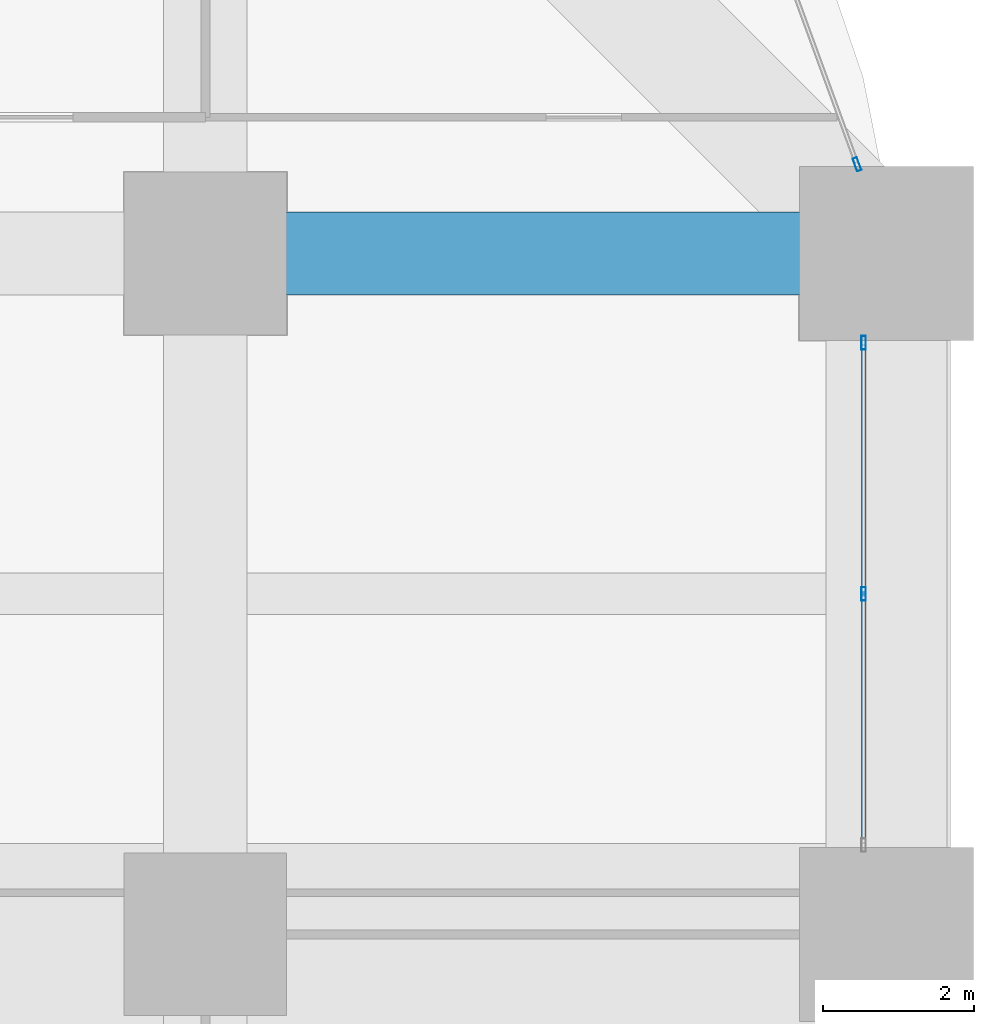
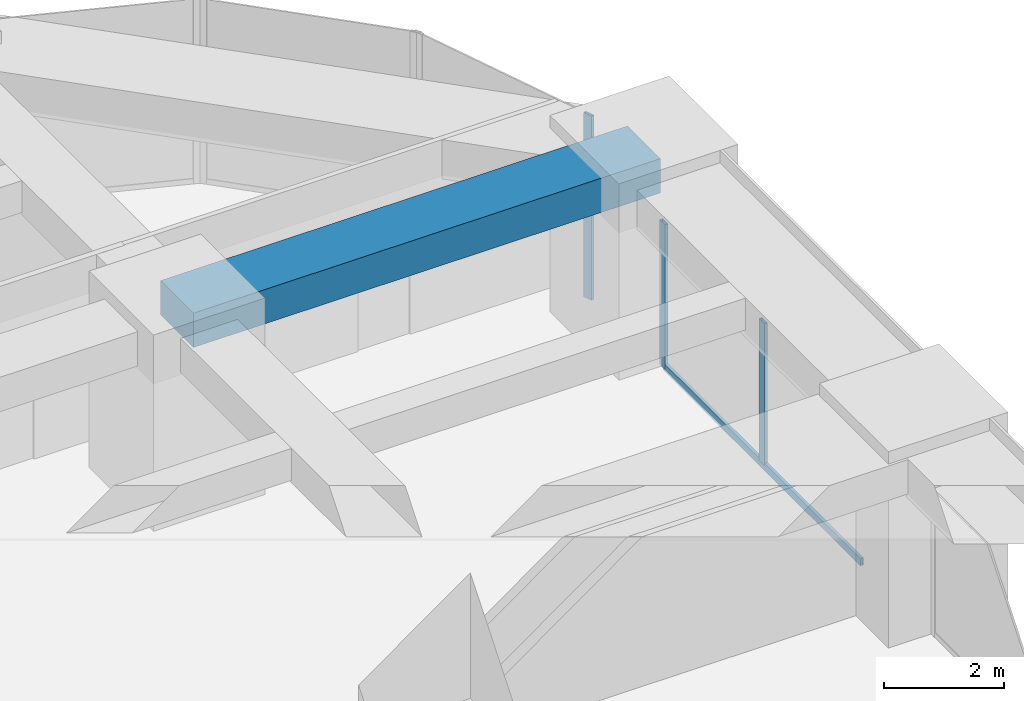
# One storey, part 33 of 43: 4 members, 1 beam, 2 elements without a shape of their own.
"""IFC4 building model written with IfcOpenShell, lengths in metres."""

from ifc_helpers import new_model, si_unit, direction, frame, origin, origin_2d, place, context, subcontext, project, spatial, rectangle, hollow_rectangle, extrude, material, material_profile, profile_set, type_object, element, aggregate, save


model = new_model("IFC4")

# Units and contexts
model_context = context("Model", 3, precision=1e-05, world=origin(), true_north=direction((0.0, 1.0)))
body_context = subcontext(model_context, "Body", "Model", "MODEL_VIEW")
ifc_project = project(units=[si_unit("LENGTHUNIT", "METRE"), si_unit("AREAUNIT", "SQUARE_METRE"), si_unit("VOLUMEUNIT", "CUBIC_METRE"), si_unit("PLANEANGLEUNIT", "RADIAN"), si_unit("MASSUNIT", "GRAM", prefix="KILO")], contexts=[model_context])

# Site, building, storey
site_placement = place(None, origin())
site = spatial("IfcSite", under=ifc_project, at=site_placement, CompositionType="ELEMENT")
building_placement = place(site_placement, origin())
building = spatial("IfcBuilding", under=site, at=building_placement, Name="Zorevar Civic Tower", CompositionType="ELEMENT")
storey_placement = place(building_placement, frame((0.0, 0.0, 67.800048828125)))
storey = spatial("IfcBuildingStorey", under=building, at=storey_placement, Name="L16", CompositionType="ELEMENT", Elevation=67.800048828125)

# Beam
ifc_material_1 = material(Name="Concrete C50/60", Category="concrete")
ifc_material_profile_1 = material_profile(ifc_material_1, rectangle(XDim=1.10009765625, YDim=0.699951171875, at=origin_2d()), Name="RC 1100x700")
ifc_profile_set_1 = profile_set([ifc_material_profile_1], Name="Concrete C50/60")
beam_type = type_object("IfcBeamType", Name="Beam RC 1100x700", PredefinedType="BEAM", material=ifc_profile_set_1)
beam_placement = place(storey_placement, frame((54.0, 45.0, 3.39990234375), z_axis=(1.0, 0.0, 0.0), x_axis=(0.0, 1.0, 0.0)))
element("IfcBeam", 1, at=beam_placement, inside=storey, type_object=beam_type, Name="Girder L17", PredefinedType="BEAM", context=body_context, shape_type="SweptSolid", body=[
    extrude(rectangle(XDim=1.10009765625, YDim=0.699951171875, at=origin_2d()), origin(), (0.0, 0.0, 1.0), 9.0),
])

# Curtain wall, members
ifc_material_2 = material(Name="Dark grey solar-control glass in black aluminium frame", Category="aluminium")
curtain_wall_type = type_object("IfcCurtainWallType", Name="Curtain wall CW2 low zone", PredefinedType="NOTDEFINED", material=ifc_material_2)
curtain_wall_1_placement = place(storey_placement, origin())
curtain_wall_1 = element("IfcCurtainWall", 2, at=curtain_wall_1_placement, inside=storey, type_object=curtain_wall_type, Name="CW2 L16", PredefinedType="NOTDEFINED")
ifc_material_3 = material(Name="Aluminium, black anodised", Category="aluminium")
ifc_material_profile_2 = material_profile(ifc_material_3, hollow_rectangle(XDim=0.06005859375, YDim=0.179931640625, WallThickness=0.00390625, at=origin_2d()), Name="AL 180x60x4")
ifc_profile_set_2 = profile_set([ifc_material_profile_2], Name="Aluminium, black anodised")
member_type_1 = type_object("IfcMemberType", Name="CW2 mullion AL 180x60x4", PredefinedType="MULLION", material=ifc_profile_set_2)
member_1_placement = place(storey_placement, frame((62.699951171875, 40.5, 0.06005859375), z_axis=(0.0, 0.0, 1.0), x_axis=(-1.0, 0.0, 0.0)))
member_1 = element("IfcMember", 3, at=member_1_placement, type_object=member_type_1, Name="CW2 mullion 2", PredefinedType="MULLION", context=body_context, shape_type="SweptSolid", body=[
    extrude(hollow_rectangle(XDim=0.06005859375, YDim=0.179931640625, WallThickness=0.00390625, at=origin_2d()), origin(), (0.0, 0.0, 1.0), 2.889892578125),
])
member_2_placement = place(storey_placement, frame((62.699951171875, 43.820068359375, 0.0), z_axis=(0.0, 0.0, 1.0), x_axis=(-1.0, 0.0, 0.0)))
member_2 = element("IfcMember", 4, at=member_2_placement, type_object=member_type_1, Name="CW2 mullion 3", PredefinedType="MULLION", context=body_context, shape_type="SweptSolid", body=[
    extrude(hollow_rectangle(XDim=0.06005859375, YDim=0.179931640625, WallThickness=0.00390625, at=origin_2d()), origin(), (0.0, 0.0, 1.0), 2.949951171875),
])

# Curtain wall, member
curtain_wall_2_placement = place(storey_placement, origin())
curtain_wall_2 = element("IfcCurtainWall", 5, at=curtain_wall_2_placement, inside=storey, type_object=curtain_wall_type, Name="CW2 L16", PredefinedType="NOTDEFINED")
member_3_placement = place(storey_placement, frame((62.61328125, 46.17822265625, 0.0), z_axis=(0.0, 0.0, 1.0), x_axis=(-0.939313345732, -0.343060400701, 0.0)))
member_3 = element("IfcMember", 6, at=member_3_placement, type_object=member_type_1, Name="CW2 mullion 1", PredefinedType="MULLION", context=body_context, shape_type="SweptSolid", body=[
    extrude(hollow_rectangle(XDim=0.06005859375, YDim=0.179931640625, WallThickness=0.00390625, at=origin_2d()), origin(), (0.0, 0.0, 1.0), 3.75),
])
aggregate(curtain_wall_2, [member_3])

# Member
ifc_material_4 = material(Name="Aluminium, black anodised", Category="aluminium")
ifc_material_profile_3 = material_profile(ifc_material_4, hollow_rectangle(XDim=0.06005859375, YDim=0.14990234375, WallThickness=0.00390625, at=origin_2d()), Name="AL 150x60x4")
ifc_profile_set_3 = profile_set([ifc_material_profile_3], Name="Aluminium, black anodised")
member_type_2 = type_object("IfcMemberType", Name="CW2 transom AL 150x60x4", PredefinedType="USERDEFINED", material=ifc_profile_set_3)
member_4_placement = place(storey_placement, frame((62.699951171875, 37.2099609375, 0.030029296875), z_axis=(0.0, 1.0, 0.0), x_axis=(-1.0, 0.0, 0.0)))
member_4 = element("IfcMember", 7, at=member_4_placement, type_object=member_type_2, Name="CW2 sill transom", ObjectType="TRANSOM", PredefinedType="USERDEFINED", context=body_context, shape_type="SweptSolid", body=[
    extrude(hollow_rectangle(XDim=0.06005859375, YDim=0.14990234375, WallThickness=0.00390625, at=origin_2d()), origin(), (0.0, 0.0, 1.0), 6.580078125),
])

aggregate(curtain_wall_1, [member_1, member_2, member_4])

save(model, "model.ifc")
